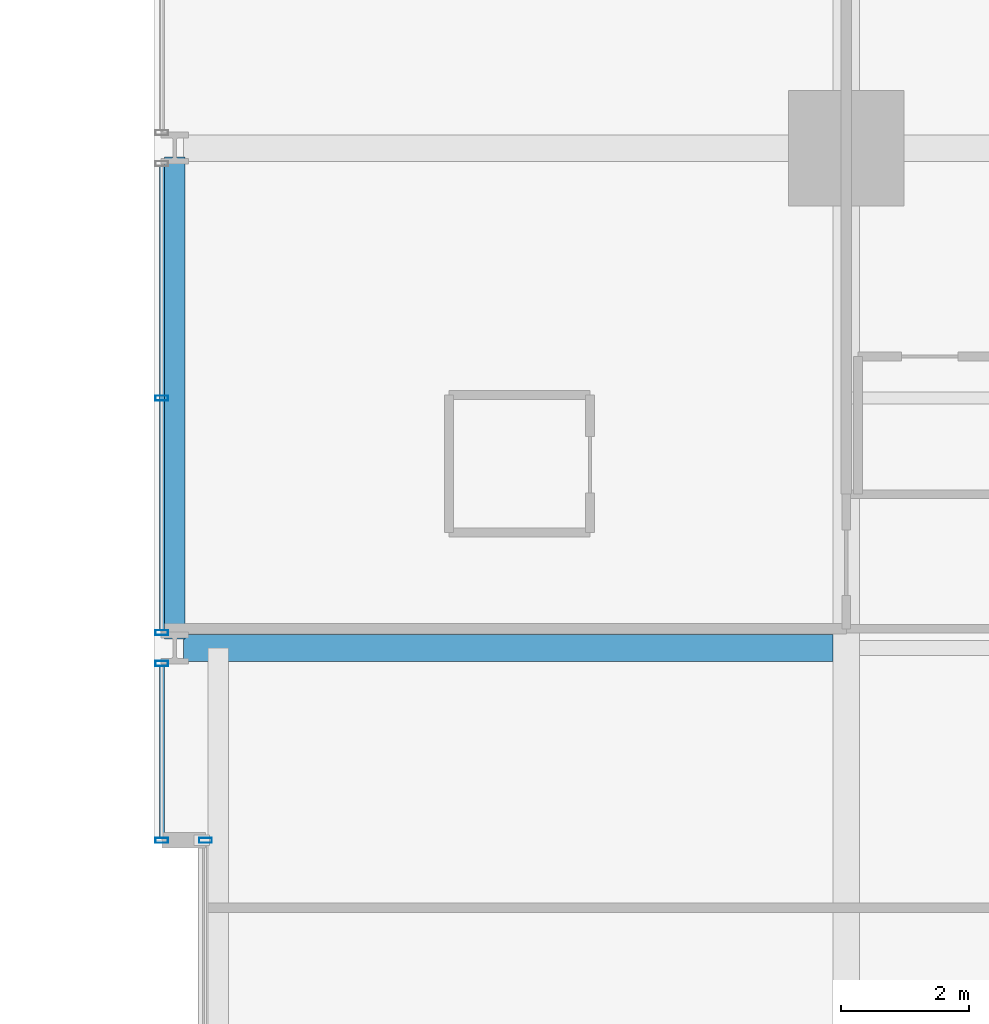
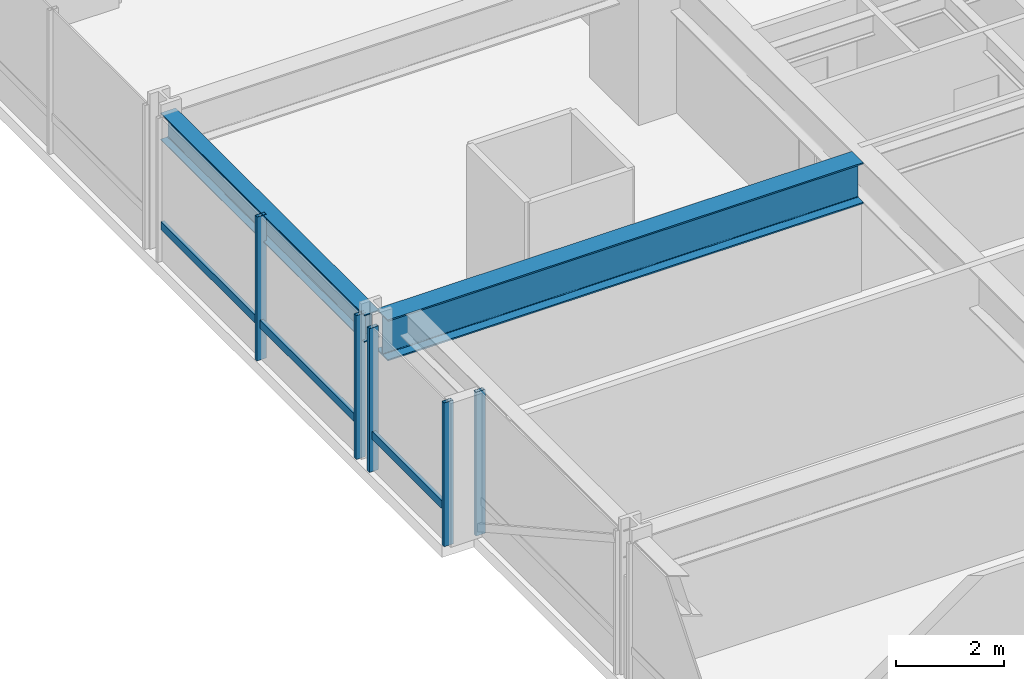
# One storey, part 17 of 39: 7 members, 2 beams, 3 elements without a shape of their own.
"""IFC4 building model written with IfcOpenShell, lengths in metres."""

from ifc_helpers import new_model, si_unit, direction, frame, origin, origin_2d, place, context, subcontext, project, spatial, hollow_rectangle, i_section, extrude, material, layer, layer_set, material_profile, profile_set, type_object, element, aggregate, save


model = new_model("IFC4")

# Units and contexts
model_context = context("Model", 3, precision=1e-05, world=origin(), true_north=direction((0.0, 1.0)))
body_context = subcontext(model_context, "Body", "Model", "MODEL_VIEW")
ifc_project = project(units=[si_unit("LENGTHUNIT", "METRE"), si_unit("AREAUNIT", "SQUARE_METRE"), si_unit("VOLUMEUNIT", "CUBIC_METRE"), si_unit("PLANEANGLEUNIT", "RADIAN"), si_unit("MASSUNIT", "GRAM", prefix="KILO")], contexts=[model_context])

# Site, building, storey
site_placement = place(None, origin())
site = spatial("IfcSite", under=ifc_project, at=site_placement, CompositionType="ELEMENT")
building_placement = place(site_placement, origin())
building = spatial("IfcBuilding", under=site, at=building_placement, Name="Drelvath Grand Hotel", CompositionType="ELEMENT")
storey_placement = place(building_placement, frame((0.0, 0.0, 36.699951171875)))
storey = spatial("IfcBuildingStorey", under=building, at=storey_placement, Name="L07", CompositionType="ELEMENT", Elevation=36.699951171875)

# Curtain wall, member
ifc_material_1 = material(Name="Warm Bronze Anodised Aluminium Frame", Category="aluminium")
ifc_layer = layer(ifc_material_1, 0.199951171875)
ifc_layer_set = layer_set([ifc_layer], Name="Warm Bronze Anodised Aluminium Frame")
curtain_wall_type = type_object("IfcCurtainWallType", Name="Stick Curtain Wall CW-02 Warm Bronze Low-Rise", PredefinedType="NOTDEFINED", material=ifc_layer_set)
curtain_wall_1_placement = place(storey_placement, origin())
curtain_wall_1 = element("IfcCurtainWall", 1, at=curtain_wall_1_placement, inside=storey, type_object=curtain_wall_type, Name="L07 CW-02 Curtain Wall CW02-L07-WN1", PredefinedType="NOTDEFINED")
ifc_material_profile_1 = material_profile(ifc_material_1, hollow_rectangle(XDim=0.074951171875, YDim=0.179931640625, WallThickness=0.0048828125, at=origin_2d()), Name="HSS180X75X5")
ifc_profile_set_1 = profile_set([ifc_material_profile_1], Name="Warm Bronze Anodised Aluminium Frame")
member_type_1 = type_object("IfcMemberType", Name="Curtain Wall Horizontal Transom CW-02 HSS180X75X5", PredefinedType="USERDEFINED", material=ifc_profile_set_1)
member_1_placement = place(storey_placement, frame((-26.8798828125, 32.43994140625, 0.81005859375), z_axis=(0.0, 1.0, 0.0), x_axis=(-1.0, 0.0, 0.0)))
member_1 = element("IfcMember", 2, at=member_1_placement, type_object=member_type_1, Name="CW02-L07-WN1 Sill Transom", ObjectType="TRANSOM", PredefinedType="USERDEFINED", context=body_context, shape_type="SweptSolid", body=[
    extrude(hollow_rectangle(XDim=0.074951171875, YDim=0.179931640625, WallThickness=0.0048828125, at=origin_2d()), origin(), (0.0, 0.0, 1.0), 2.67919921875),
])

curtain_wall_2_placement = place(storey_placement, origin())
curtain_wall_2 = element("IfcCurtainWall", 3, at=curtain_wall_2_placement, inside=storey, type_object=curtain_wall_type, Name="L07 CW-02 Curtain Wall CW02-L07-WN2", PredefinedType="NOTDEFINED")
member_2_placement = place(storey_placement, frame((-26.8798828125, 35.680908203125, 0.81005859375), z_axis=(0.0, 1.0, 0.0), x_axis=(-1.0, 0.0, 0.0)))
member_2 = element("IfcMember", 4, at=member_2_placement, type_object=member_type_1, Name="CW02-L07-WN2 Sill Transom", ObjectType="TRANSOM", PredefinedType="USERDEFINED", context=body_context, shape_type="SweptSolid", body=[
    extrude(hollow_rectangle(XDim=0.074951171875, YDim=0.179931640625, WallThickness=0.0048828125, at=origin_2d()), origin(), (0.0, 0.0, 1.0), 7.23828125),
])

curtain_wall_3_placement = place(storey_placement, origin())
curtain_wall_3 = element("IfcCurtainWall", 5, at=curtain_wall_3_placement, inside=storey, type_object=curtain_wall_type, Name="L07 CW-02 Curtain Wall CW02-L07-WM2", PredefinedType="NOTDEFINED")
ifc_material_profile_2 = material_profile(ifc_material_1, hollow_rectangle(XDim=0.080078125, YDim=0.199951171875, WallThickness=0.0048828125, at=origin_2d()), Name="HSS200X80X5")
ifc_profile_set_2 = profile_set([ifc_material_profile_2], Name="Warm Bronze Anodised Aluminium Frame")
member_type_2 = type_object("IfcMemberType", Name="Curtain Wall Vertical Mullion CW-02 HSS200X80X5", PredefinedType="MULLION", material=ifc_profile_set_2)
member_3_placement = place(storey_placement, frame((-26.199951171875, 32.39990234375, 0.0), z_axis=(0.0, 0.0, 1.0), x_axis=(0.0, 1.0, 0.0)))
member_3 = element("IfcMember", 6, at=member_3_placement, type_object=member_type_2, Name="CW02-L07-WM2 Mullion 2", PredefinedType="MULLION", context=body_context, shape_type="SweptSolid", body=[
    extrude(hollow_rectangle(XDim=0.080078125, YDim=0.199951171875, WallThickness=0.0048828125, at=origin_2d()), origin(), (0.0, 0.0, 1.0), 3.239990234375),
])
aggregate(curtain_wall_3, [member_3])

# Member
member_4_placement = place(storey_placement, frame((-26.8798828125, 32.39990234375, 0.0), z_axis=(0.0, 0.0, 1.0), x_axis=(0.0, 1.0, 0.0)))
member_4 = element("IfcMember", 7, at=member_4_placement, type_object=member_type_2, Name="CW02-L07-WN1 Mullion 1", PredefinedType="MULLION", context=body_context, shape_type="SweptSolid", body=[
    extrude(hollow_rectangle(XDim=0.080078125, YDim=0.199951171875, WallThickness=0.0048828125, at=origin_2d()), origin(), (0.0, 0.0, 1.0), 3.239990234375),
])

member_5_placement = place(storey_placement, frame((-26.8798828125, 35.1591796875, 0.0), z_axis=(0.0, 0.0, 1.0), x_axis=(0.0, 1.0, 0.0)))
member_5 = element("IfcMember", 8, at=member_5_placement, type_object=member_type_2, Name="CW02-L07-WN1 Mullion 2", PredefinedType="MULLION", context=body_context, shape_type="SweptSolid", body=[
    extrude(hollow_rectangle(XDim=0.080078125, YDim=0.199951171875, WallThickness=0.0048828125, at=origin_2d()), origin(), (0.0, 0.0, 1.0), 3.239990234375),
])

aggregate(curtain_wall_1, [member_4, member_5, member_1])

member_6_placement = place(storey_placement, frame((-26.8798828125, 35.640869140625, 0.0), z_axis=(0.0, 0.0, 1.0), x_axis=(0.0, 1.0, 0.0)))
member_6 = element("IfcMember", 9, at=member_6_placement, type_object=member_type_2, Name="CW02-L07-WN2 Mullion 1", PredefinedType="MULLION", context=body_context, shape_type="SweptSolid", body=[
    extrude(hollow_rectangle(XDim=0.080078125, YDim=0.199951171875, WallThickness=0.0048828125, at=origin_2d()), origin(), (0.0, 0.0, 1.0), 3.239990234375),
])

member_7_placement = place(storey_placement, frame((-26.8798828125, 39.300048828125, 0.0), z_axis=(0.0, 0.0, 1.0), x_axis=(0.0, 1.0, 0.0)))
member_7 = element("IfcMember", 10, at=member_7_placement, type_object=member_type_2, Name="CW02-L07-WN2 Mullion 2", PredefinedType="MULLION", context=body_context, shape_type="SweptSolid", body=[
    extrude(hollow_rectangle(XDim=0.080078125, YDim=0.199951171875, WallThickness=0.0048828125, at=origin_2d()), origin(), (0.0, 0.0, 1.0), 3.239990234375),
])

aggregate(curtain_wall_2, [member_6, member_7, member_2])

# Beams
ifc_material_2 = material(Name="Steel ASTM A992 Gr 50", Category="steel")
ifc_material_profile_3 = material_profile(ifc_material_2, i_section(OverallWidth=0.323974609375, OverallDepth=0.611083984375, WebThickness=0.0126953125, FlangeThickness=0.01904296875, FilletRadius=0.02197265625, at=origin_2d()), Name="W24X104")
ifc_profile_set_3 = profile_set([ifc_material_profile_3], Name="Steel ASTM A992 Gr 50")
beam_type_1 = type_object("IfcBeamType", Name="Perimeter Spandrel Beam W24X104", PredefinedType="SPANDREL", material=ifc_profile_set_3)
beam_1_placement = place(storey_placement, frame((-26.679931640625, 35.5400390625, 2.9345703125), z_axis=(0.0, 1.0, 0.0), x_axis=(-1.0, 0.0, 0.0)))
element("IfcBeam", 11, at=beam_1_placement, inside=storey, type_object=beam_type_1, Name="L07 Spandrel West N", PredefinedType="SPANDREL", context=body_context, shape_type="SweptSolid", body=[
    extrude(i_section(OverallWidth=0.323974609375, OverallDepth=0.611083984375, WebThickness=0.0126953125, FlangeThickness=0.01904296875, FilletRadius=0.02197265625, at=origin_2d()), origin(), (0.0, 0.0, 1.0), 7.52001953125),
])
ifc_material_profile_4 = material_profile(ifc_material_2, i_section(OverallWidth=0.418212890625, OverallDepth=0.926513671875, WebThickness=0.019287109375, FlangeThickness=0.031982421875, FilletRadius=0.028076171875, at=origin_2d()), Name="W36X231")
ifc_profile_set_4 = profile_set([ifc_material_profile_4], Name="Steel ASTM A992 Gr 50")
beam_type_2 = type_object("IfcBeamType", Name="Primary Floor Girder W36X231", PredefinedType="BEAM", material=ifc_profile_set_4)
beam_2_placement = place(storey_placement, frame((-26.5400390625, 35.39990234375, 2.77685546875), z_axis=(1.0, 0.0, 0.0), x_axis=(0.0, 1.0, 0.0)))
element("IfcBeam", 12, at=beam_2_placement, inside=storey, type_object=beam_type_2, Name="L07 West Wing Girder F", PredefinedType="BEAM", context=body_context, shape_type="SweptSolid", body=[
    extrude(i_section(OverallWidth=0.418212890625, OverallDepth=0.926513671875, WebThickness=0.019287109375, FlangeThickness=0.031982421875, FilletRadius=0.028076171875, at=origin_2d()), origin(), (0.0, 0.0, 1.0), 10.130859375),
])

save(model, "model.ifc")
